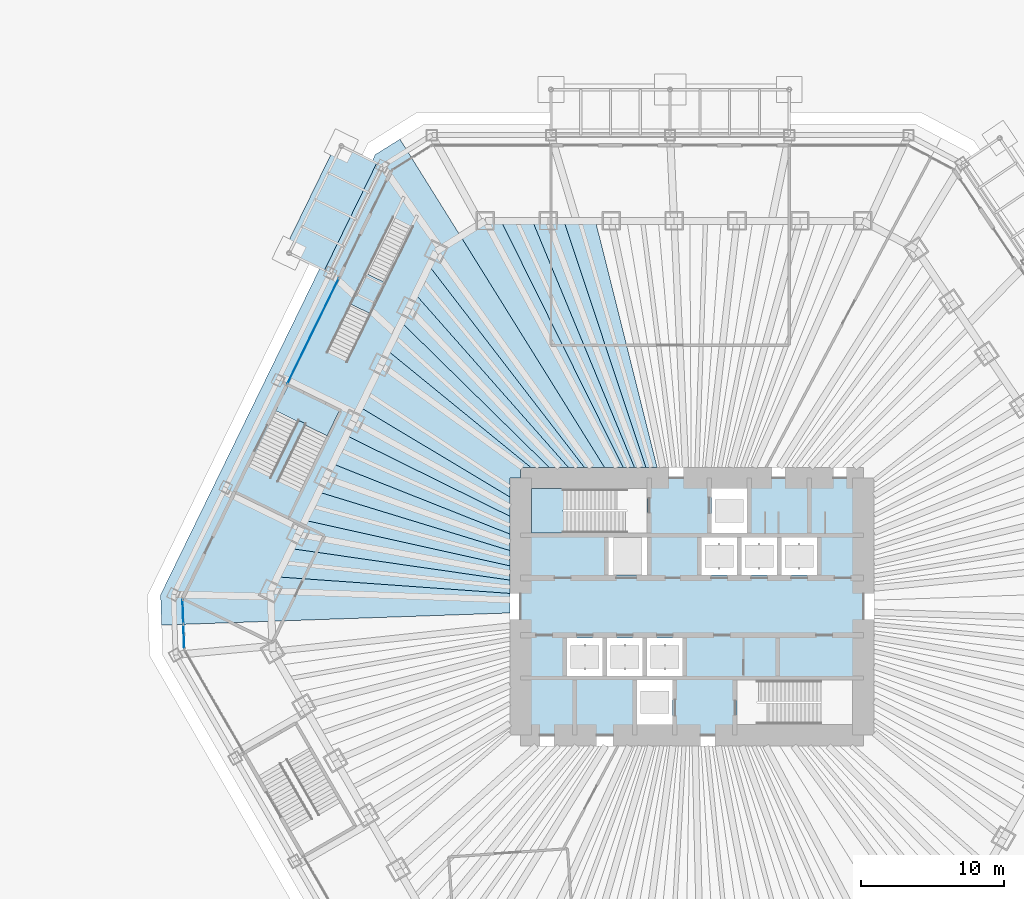
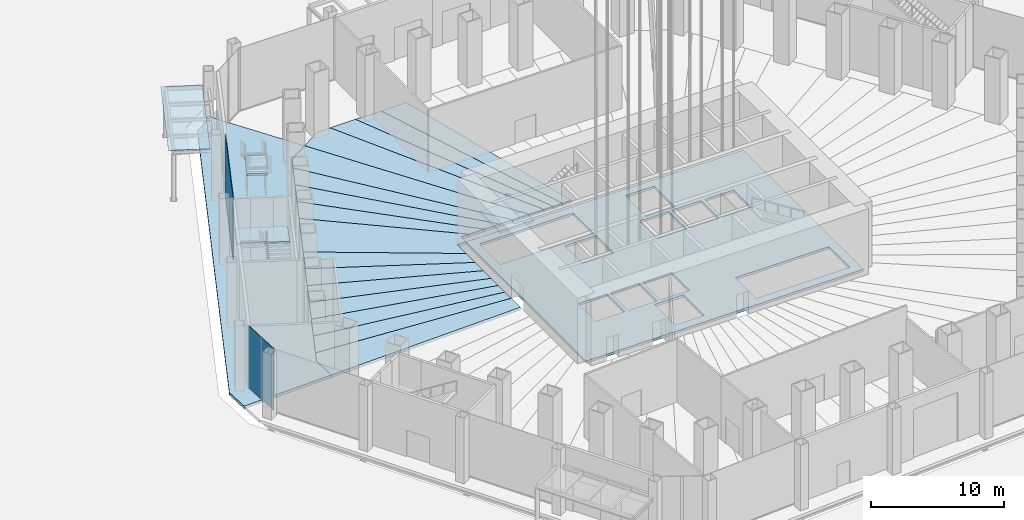
# One storey, part 25 of 45: 22 slabs, 3 plates, 5 elements without a shape of their own.
"""IFC4 building model written with IfcOpenShell, lengths in metres."""

from ifc_helpers import new_model, si_unit, direction, frame, origin, origin_2d, place, context, subcontext, project, spatial, polyline, rectangle, outline, extrude, material, layer, layer_set, constituent, constituent_set, type_object, element, aggregate, save


model = new_model("IFC4")

# Units and contexts
model_context = context("Model", 3, precision=1e-05, world=origin(), true_north=direction((0.0, 1.0)))
body_context = subcontext(model_context, "Body", "Model", "MODEL_VIEW")
ifc_project = project(units=[si_unit("LENGTHUNIT", "METRE"), si_unit("AREAUNIT", "SQUARE_METRE"), si_unit("VOLUMEUNIT", "CUBIC_METRE"), si_unit("PLANEANGLEUNIT", "RADIAN"), si_unit("MASSUNIT", "GRAM", prefix="KILO")], contexts=[model_context])

# Site, building, storey
site_placement = place(None, origin())
site = spatial("IfcSite", under=ifc_project, at=site_placement, CompositionType="ELEMENT")
building_placement = place(site_placement, origin())
building = spatial("IfcBuilding", under=site, at=building_placement, Name="Qingtian Harvest Tower", CompositionType="ELEMENT")
storey_placement = place(building_placement, origin())
storey = spatial("IfcBuildingStorey", under=building, at=storey_placement, Name="L00", CompositionType="ELEMENT", Elevation=0.0)

# Slabs
ifc_material_1 = material(Name="Concrete fc' 35 MPa", Category="concrete")
ifc_layer_1 = layer(ifc_material_1, 0.25)
ifc_layer_set_1 = layer_set([ifc_layer_1], Name="Composite floor slab FS25 250")
slab_type_1 = type_object("IfcSlabType", Name="Composite floor slab FS25 250", PredefinedType="FLOOR", material=ifc_layer_set_1)
slab_1_placement = place(storey_placement, frame((0.0, 0.0, -0.25)))
element("IfcSlab", 1, at=slab_1_placement, inside=storey, type_object=slab_type_1, Name="Floor slab L00 panel DPNW", PredefinedType="FLOOR", context=body_context, shape_type="SweptSolid", body=[
    extrude(outline(polyline([(-20.446533203125, 32.721435546875), (-16.197509765625, 25.92138671875), (-17.923583984375, 24.8427734375), (-29.5087890625, 1.08984375), (-29.434814453125, -1.02783203125), (-37.131591796875, -1.296630859375), (-37.20556640625, 0.821044921875), (-22.172607421875, 31.642822265625), (-20.446533203125, 32.721435546875)])), origin(), (0.0, 0.0, 1.0), 0.25),
])
slab_2_placement = place(storey_placement, frame((0.0, 0.0, -0.25)))
element("IfcSlab", 2, at=slab_2_placement, inside=storey, type_object=slab_type_1, Name="Floor slab L00 panel D62", PredefinedType="FLOOR", context=body_context, shape_type="SweptSolid", body=[
    extrude(outline(polyline([(-3.237548828125, 9.75), (-8.9658203125, 27.0), (-6.763427734375, 27.0), (-2.4423828125, 9.75), (-3.237548828125, 9.75)])), origin(), (0.0, 0.0, 1.0), 0.25),
])
slab_3_placement = place(storey_placement, frame((0.0, 0.0, -0.25)))
element("IfcSlab", 3, at=slab_3_placement, inside=storey, type_object=slab_type_1, Name="Floor slab L00 panel D63", PredefinedType="FLOOR", context=body_context, shape_type="SweptSolid", body=[
    extrude(outline(polyline([(-4.032958984375, 9.75), (-11.16796875, 27.0), (-8.9658203125, 27.0), (-3.237548828125, 9.75), (-4.032958984375, 9.75)])), origin(), (0.0, 0.0, 1.0), 0.25),
])
slab_4_placement = place(storey_placement, frame((0.0, 0.0, -0.25)))
element("IfcSlab", 4, at=slab_4_placement, inside=storey, type_object=slab_type_1, Name="Floor slab L00 panel D64", PredefinedType="FLOOR", context=body_context, shape_type="SweptSolid", body=[
    extrude(outline(polyline([(-4.828125, 9.75), (-13.370361328125, 27.0), (-11.16796875, 27.0), (-4.032958984375, 9.75), (-4.828125, 9.75)])), origin(), (0.0, 0.0, 1.0), 0.25),
])
slab_5_placement = place(storey_placement, frame((0.0, 0.0, -0.25)))
element("IfcSlab", 5, at=slab_5_placement, inside=storey, type_object=slab_type_1, Name="Floor slab L00 panel D65", PredefinedType="FLOOR", context=body_context, shape_type="SweptSolid", body=[
    extrude(outline(polyline([(-4.828125, 9.75), (-6.130126953125, 9.75), (-16.197509765625, 25.92138671875), (-14.471435546875, 27.0), (-13.370361328125, 27.0), (-4.828125, 9.75)])), origin(), (0.0, 0.0, 1.0), 0.25),
])
slab_6_placement = place(storey_placement, frame((0.0, 0.0, -0.25)))
element("IfcSlab", 6, at=slab_6_placement, inside=storey, type_object=slab_type_1, Name="Floor slab L00 panel D66", PredefinedType="FLOOR", context=body_context, shape_type="SweptSolid", body=[
    extrude(outline(polyline([(-6.130126953125, 9.75), (-7.544677734375, 9.75), (-18.40625, 23.853271484375), (-17.923583984375, 24.8427734375), (-16.197509765625, 25.92138671875), (-6.130126953125, 9.75)])), origin(), (0.0, 0.0, 1.0), 0.25),
])
slab_7_placement = place(storey_placement, frame((0.0, 0.0, -0.25)))
element("IfcSlab", 7, at=slab_7_placement, inside=storey, type_object=slab_type_1, Name="Floor slab L00 panel D67", PredefinedType="FLOOR", context=body_context, shape_type="SweptSolid", body=[
    extrude(outline(polyline([(-8.662109375, 9.75), (-19.37158203125, 21.873779296875), (-18.40625, 23.853271484375), (-7.544677734375, 9.75), (-8.662109375, 9.75)])), origin(), (0.0, 0.0, 1.0), 0.25),
])
slab_8_placement = place(storey_placement, frame((0.0, 0.0, -0.25)))
element("IfcSlab", 8, at=slab_8_placement, inside=storey, type_object=slab_type_1, Name="Floor slab L00 panel D68", PredefinedType="FLOOR", context=body_context, shape_type="SweptSolid", body=[
    extrude(outline(polyline([(-10.00341796875, 9.75), (-20.337158203125, 19.894287109375), (-19.37158203125, 21.873779296875), (-8.662109375, 9.75), (-10.00341796875, 9.75)])), origin(), (0.0, 0.0, 1.0), 0.25),
])
slab_9_placement = place(storey_placement, frame((0.0, 0.0, -0.25)))
element("IfcSlab", 9, at=slab_9_placement, inside=storey, type_object=slab_type_1, Name="Floor slab L00 panel D69", PredefinedType="FLOOR", context=body_context, shape_type="SweptSolid", body=[
    extrude(outline(polyline([(-11.2939453125, 9.75), (-21.302490234375, 17.9150390625), (-20.337158203125, 19.894287109375), (-10.00341796875, 9.75), (-11.2939453125, 9.75)])), origin(), (0.0, 0.0, 1.0), 0.25),
])
slab_10_placement = place(storey_placement, frame((0.0, 0.0, -0.25)))
element("IfcSlab", 10, at=slab_10_placement, inside=storey, type_object=slab_type_1, Name="Floor slab L00 panel D70", PredefinedType="FLOOR", context=body_context, shape_type="SweptSolid", body=[
    extrude(outline(polyline([(-12.0, 9.0), (-12.75, 9.0), (-12.75, 7.67333984375), (-23.2333984375, 13.9560546875), (-21.302490234375, 17.9150390625), (-11.2939453125, 9.75), (-12.0, 9.75), (-12.0, 9.0)])), origin(), (0.0, 0.0, 1.0), 0.25),
])
slab_11_placement = place(storey_placement, frame((0.0, 0.0, -0.25)))
element("IfcSlab", 11, at=slab_11_placement, inside=storey, type_object=slab_type_1, Name="Floor slab L00 panel D72", PredefinedType="FLOOR", context=body_context, shape_type="SweptSolid", body=[
    extrude(outline(polyline([(-12.75, 6.3232421875), (-24.19873046875, 11.976806640625), (-23.2333984375, 13.9560546875), (-12.75, 7.67333984375), (-12.75, 6.3232421875)])), origin(), (0.0, 0.0, 1.0), 0.25),
])
slab_12_placement = place(storey_placement, frame((0.0, 0.0, -0.25)))
element("IfcSlab", 12, at=slab_12_placement, inside=storey, type_object=slab_type_1, Name="Floor slab L00 panel D73", PredefinedType="FLOOR", context=body_context, shape_type="SweptSolid", body=[
    extrude(outline(polyline([(-12.75, 5.076904296875), (-25.164306640625, 9.997314453125), (-24.19873046875, 11.976806640625), (-12.75, 6.3232421875), (-12.75, 5.076904296875)])), origin(), (0.0, 0.0, 1.0), 0.25),
])
slab_13_placement = place(storey_placement, frame((0.0, 0.0, -0.25)))
element("IfcSlab", 13, at=slab_13_placement, inside=storey, type_object=slab_type_1, Name="Floor slab L00 panel D74", PredefinedType="FLOOR", context=body_context, shape_type="SweptSolid", body=[
    extrude(outline(polyline([(-12.75, 3.922607421875), (-26.129638671875, 8.017822265625), (-25.164306640625, 9.997314453125), (-12.75, 5.076904296875), (-12.75, 3.922607421875)])), origin(), (0.0, 0.0, 1.0), 0.25),
])
slab_14_placement = place(storey_placement, frame((0.0, 0.0, -0.25)))
element("IfcSlab", 14, at=slab_14_placement, inside=storey, type_object=slab_type_1, Name="Floor slab L00 panel D75", PredefinedType="FLOOR", context=body_context, shape_type="SweptSolid", body=[
    extrude(outline(polyline([(-12.75, 2.8505859375), (-27.09521484375, 6.038330078125), (-26.129638671875, 8.017822265625), (-12.75, 3.922607421875), (-12.75, 2.8505859375)])), origin(), (0.0, 0.0, 1.0), 0.25),
])
slab_15_placement = place(storey_placement, frame((0.0, 0.0, -0.25)))
element("IfcSlab", 15, at=slab_15_placement, inside=storey, type_object=slab_type_1, Name="Floor slab L00 panel D76", PredefinedType="FLOOR", context=body_context, shape_type="SweptSolid", body=[
    extrude(outline(polyline([(-12.75, 1.8525390625), (-28.060546875, 4.05908203125), (-27.09521484375, 6.038330078125), (-12.75, 2.8505859375), (-12.75, 1.8525390625)])), origin(), (0.0, 0.0, 1.0), 0.25),
])
slab_16_placement = place(storey_placement, frame((0.0, 0.0, -0.25)))
element("IfcSlab", 16, at=slab_16_placement, inside=storey, type_object=slab_type_1, Name="Floor slab L00 panel D77", PredefinedType="FLOOR", context=body_context, shape_type="SweptSolid", body=[
    extrude(outline(polyline([(-12.75, 0.9208984375), (-29.02587890625, 2.07958984375), (-28.060546875, 4.05908203125), (-12.75, 1.8525390625), (-12.75, 0.9208984375)])), origin(), (0.0, 0.0, 1.0), 0.25),
])
slab_17_placement = place(storey_placement, frame((0.0, 0.0, -0.25)))
element("IfcSlab", 17, at=slab_17_placement, inside=storey, type_object=slab_type_1, Name="Floor slab L00 panel D78", PredefinedType="FLOOR", context=body_context, shape_type="SweptSolid", body=[
    extrude(outline(polyline([(-12.75, 0.9208984375), (-12.75, -0.447509765625), (-29.434814453125, -1.02783203125), (-29.5087890625, 1.08984375), (-29.02587890625, 2.07958984375), (-12.75, 0.9208984375)])), origin(), (0.0, 0.0, 1.0), 0.25),
])
ifc_material_2 = material(Name="Concrete fc' 35 MPa", Category="concrete")
ifc_layer_2 = layer(ifc_material_2, 0.219970703125)
ifc_layer_set_2 = layer_set([ifc_layer_2], Name="Core floor slab CS22 220")
slab_type_2 = type_object("IfcSlabType", Name="Core floor slab CS22 220", PredefinedType="FLOOR", material=ifc_layer_set_2)
slab_18_placement = place(storey_placement, frame((0.0, 0.0, -0.219970703125)))
element("IfcSlab", 18, at=slab_18_placement, inside=storey, type_object=slab_type_2, Name="Core floor slab L00", PredefinedType="FLOOR", context=body_context, shape_type="SweptSolid", body=[
    extrude(outline(polyline([(-12.0, -9.0), (12.0, -9.0), (12.0, 9.0), (-12.0, 9.0), (-12.0, -9.0)]), holes=[polyline([(-11.25, 5.14990234375), (-3.14990234375, 5.14990234375), (-3.14990234375, 8.25), (-11.25, 8.25), (-11.25, 5.14990234375)]), polyline([(3.14990234375, -8.25), (11.25, -8.25), (11.25, -5.14990234375), (3.14990234375, -5.14990234375), (3.14990234375, -8.25)]), polyline([(1.35009765625, 5.14990234375), (3.85009765625, 5.14990234375), (3.85009765625, 8.25), (1.35009765625, 8.25), (1.35009765625, 5.14990234375)]), polyline([(-3.85009765625, -8.25), (-1.35009765625, -8.25), (-1.35009765625, -5.14990234375), (-3.85009765625, -5.14990234375), (-3.85009765625, -8.25)]), polyline([(-5.85009765625, 2.199951171875), (-3.14990234375, 2.199951171875), (-3.14990234375, 4.85009765625), (-5.85009765625, 4.85009765625), (-5.85009765625, 2.199951171875)]), polyline([(0.64990234375, 2.199951171875), (3.14990234375, 2.199951171875), (3.14990234375, 4.85009765625), (0.64990234375, 4.85009765625), (0.64990234375, 2.199951171875)]), polyline([(3.449951171875, 2.199951171875), (5.949951171875, 2.199951171875), (5.949951171875, 4.85009765625), (3.449951171875, 4.85009765625), (3.449951171875, 2.199951171875)]), polyline([(6.25, 2.199951171875), (8.75, 2.199951171875), (8.75, 4.85009765625), (6.25, 4.85009765625), (6.25, 2.199951171875)]), polyline([(-8.75, -4.85009765625), (-6.25, -4.85009765625), (-6.25, -2.199951171875), (-8.75, -2.199951171875), (-8.75, -4.85009765625)]), polyline([(-5.949951171875, -4.85009765625), (-3.449951171875, -4.85009765625), (-3.449951171875, -2.199951171875), (-5.949951171875, -2.199951171875), (-5.949951171875, -4.85009765625)]), polyline([(-3.14990234375, -4.85009765625), (-0.64990234375, -4.85009765625), (-0.64990234375, -2.199951171875), (-3.14990234375, -2.199951171875), (-3.14990234375, -4.85009765625)])]), origin(), (0.0, 0.0, 1.0), 0.219970703125),
])
ifc_material_3 = material(Name="Laminated heat-strengthened glass", Category="glass")
ifc_layer_3 = layer(ifc_material_3, 0.0400390625)
ifc_layer_set_3 = layer_set([ifc_layer_3], Name="Entrance canopy CN1 glass")
slab_type_3 = type_object("IfcSlabType", Name="Entrance canopy CN1 glass", PredefinedType="ROOF", material=ifc_layer_set_3)
slab_19_placement = place(storey_placement, frame((0.0, 0.0, 4.4599609375)))
element("IfcSlab", 19, at=slab_19_placement, inside=storey, type_object=slab_type_3, Name="Entrance canopy CN1 CN5 3", PredefinedType="ROOF", context=body_context, shape_type="SweptSolid", body=[
    extrude(outline(polyline([(-25.734130859375, 23.542724609375), (-22.0771484375, 31.040283203125), (-24.908447265625, 32.421142578125), (-28.565185546875, 24.923583984375), (-25.734130859375, 23.542724609375)])), origin(), (0.0, 0.0, 1.0), 0.0400390625),
])

# Stair, slab
ifc_material_4 = material(Name="Steel SN490B (325 MPa)", Category="steel")
ifc_constituent_1 = constituent(ifc_material_4, Name="Stringers")
ifc_material_5 = material(Name="Terrazzo treads")
ifc_constituent_2 = constituent(ifc_material_5, Name="Treads")
ifc_constituent_set = constituent_set(constituents=[ifc_constituent_1, ifc_constituent_2], Name="Steel SN490B (325 MPa)")
stair_type_1 = type_object("IfcStairType", Name="Feature stair FS6000 straight run", PredefinedType="STRAIGHT_RUN_STAIR", material=ifc_constituent_set)
stair_1_placement = place(storey_placement, origin())
stair_1 = element("IfcStair", 20, at=stair_1_placement, inside=storey, type_object=stair_type_1, Name="Feature stair FS2 L00 to L01", PredefinedType="STRAIGHT_RUN_STAIR")
ifc_material_6 = material(Name="Steel deck with terrazzo", Category="steel")
ifc_layer_4 = layer(ifc_material_6, 0.199951171875)
ifc_layer_set_4 = layer_set([ifc_layer_4], Name="Feature stair landing SL3 200")
slab_type_4 = type_object("IfcSlabType", Name="Feature stair landing SL3 200", PredefinedType="LANDING", material=ifc_layer_set_4)
slab_20_placement = place(storey_placement, frame((0.0, 0.0, 2.800048828125)))
slab_20 = element("IfcSlab", 21, at=slab_20_placement, type_object=slab_type_4, Name="FS2 landing 1", PredefinedType="LANDING", context=body_context, shape_type="SweptSolid", body=[
    extrude(outline(polyline([(-22.492919921875, 20.4921875), (-23.930908203125, 21.193603515625), (-22.87451171875, 23.359619140625), (-21.4365234375, 22.658203125), (-22.492919921875, 20.4921875)])), origin(), (0.0, 0.0, 1.0), 0.199951171875),
])
aggregate(stair_1, [slab_20])

# Curtain wall, plates
ifc_material_7 = material(Name="Bronze-anodised aluminium curtain wall", Category="aluminium")
curtain_wall_type = type_object("IfcCurtainWallType", Name="Curtain wall CW1 podium shopfront", PredefinedType="USERDEFINED", material=ifc_material_7)
curtain_wall_1_placement = place(storey_placement, origin())
curtain_wall_1 = element("IfcCurtainWall", 22, at=curtain_wall_1_placement, inside=storey, type_object=curtain_wall_type, Name="Curtain wall CW1 L00 SWC", ObjectType="RECESSED CURTAIN WALL", PredefinedType="USERDEFINED")
ifc_material_8 = material(Name="Bronze-tinted laminated insulating glass", Category="glass")
ifc_layer_5 = layer(ifc_material_8, 0.030029296875)
ifc_layer_set_5 = layer_set([ifc_layer_5], Name="Glazed panel CWP tinted IGU")
plate_type = type_object("IfcPlateType", Name="Glazed panel CWP tinted IGU", PredefinedType="CURTAIN_PANEL", material=ifc_layer_set_5)
plate_1_placement = place(storey_placement, frame((-35.57763671875, -2.121826171875, 0.06494140625), z_axis=(0.0, 0.0, 1.0), x_axis=(-0.034899496703, 0.999390827019, 0.0)))
plate_1 = element("IfcPlate", 23, at=plate_1_placement, type_object=plate_type, Name="CW1 panel 1.1", PredefinedType="CURTAIN_PANEL", context=body_context, shape_type="SweptSolid", body=[
    extrude(rectangle(XDim=1.69287109375, YDim=0.030029296875, at=origin_2d()), origin(), (0.0, 0.0, 1.0), 5.68505859375),
])
plate_2_placement = place(storey_placement, frame((-35.638916015625, -0.364990234375, 0.06494140625), z_axis=(0.0, 0.0, 1.0), x_axis=(-0.034899496703, 0.999390827019, 0.0)))
plate_2 = element("IfcPlate", 24, at=plate_2_placement, type_object=plate_type, Name="CW1 panel 2.1", PredefinedType="CURTAIN_PANEL", context=body_context, shape_type="SweptSolid", body=[
    extrude(rectangle(XDim=1.69287109375, YDim=0.030029296875, at=origin_2d()), origin(), (0.0, 0.0, 1.0), 5.68505859375),
])
aggregate(curtain_wall_1, [plate_1, plate_2])

# Curtain wall, plate
curtain_wall_2_placement = place(storey_placement, origin())
curtain_wall_2 = element("IfcCurtainWall", 25, at=curtain_wall_2_placement, inside=storey, type_object=curtain_wall_type, Name="Curtain wall CW1 L00 NW2", ObjectType="RECESSED CURTAIN WALL", PredefinedType="USERDEFINED")
plate_3_placement = place(storey_placement, frame((-26.52880859375, 19.289794921875, 0.06494140625), z_axis=(0.0, 0.0, 1.0), x_axis=(0.438371146789, 0.898794046299, 0.0)))
plate_3 = element("IfcPlate", 26, at=plate_3_placement, type_object=plate_type, Name="CW1 panel 1.1", PredefinedType="CURTAIN_PANEL", context=body_context, shape_type="SweptSolid", body=[
    extrude(rectangle(XDim=8.211669921875, YDim=0.030029296875, at=origin_2d()), origin(), (0.0, 0.0, 1.0), 5.68505859375),
])
aggregate(curtain_wall_2, [plate_3])

# Stair, slab
ifc_material_9 = material(Name="Concrete fc' 35 MPa", Category="concrete")
stair_type_2 = type_object("IfcStairType", Name="Exit stair PS1 6000", PredefinedType="HALF_TURN_STAIR", material=ifc_material_9)
stair_2_placement = place(storey_placement, origin())
stair_2 = element("IfcStair", 27, at=stair_2_placement, inside=storey, type_object=stair_type_2, Name="Exit stair P4 L00", PredefinedType="HALF_TURN_STAIR")
ifc_material_10 = material(Name="Concrete fc' 35 MPa", Category="concrete")
ifc_layer_6 = layer(ifc_material_10, 0.199951171875)
ifc_layer_set_6 = layer_set([ifc_layer_6], Name="Stair landing SL2 200")
slab_type_5 = type_object("IfcSlabType", Name="Stair landing SL2 200", PredefinedType="LANDING", material=ifc_layer_set_6)
slab_21_placement = place(storey_placement, frame((0.0, 0.0, 2.800048828125)))
slab_21 = element("IfcSlab", 28, at=slab_21_placement, type_object=slab_type_5, Name="P4 landing 1", PredefinedType="LANDING", context=body_context, shape_type="SweptSolid", body=[
    extrude(outline(polyline([(-24.672119140625, 13.74365234375), (-25.54541015625, 11.953369140625), (-27.1630859375, 12.742431640625), (-27.119384765625, 12.832275390625), (-27.478759765625, 13.0078125), (-27.522705078125, 12.91796875), (-29.140380859375, 13.70703125), (-28.267333984375, 15.4970703125), (-24.672119140625, 13.74365234375)])), origin(), (0.0, 0.0, 1.0), 0.199951171875),
])
aggregate(stair_2, [slab_21])

ifc_material_11 = material(Name="Concrete fc' 35 MPa", Category="concrete")
stair_type_3 = type_object("IfcStairType", Name="Special stair ST1 6000", PredefinedType="HALF_TURN_STAIR", material=ifc_material_11)
stair_3_placement = place(storey_placement, origin())
stair_3 = element("IfcStair", 29, at=stair_3_placement, inside=storey, type_object=stair_type_3, Name="Special stair S1 L00", PredefinedType="HALF_TURN_STAIR")
slab_22_placement = place(storey_placement, frame((0.0, 0.0, 2.800048828125)))
slab_22 = element("IfcSlab", 30, at=slab_22_placement, type_object=slab_type_5, Name="S1 landing 2", PredefinedType="LANDING", context=body_context, shape_type="SweptSolid", body=[
    extrude(outline(polyline([(-8.320068359375, 5.14990234375), (-11.25, 5.14990234375), (-11.25, 8.25), (-8.929931640625, 8.25), (-8.929931640625, 6.75), (-9.030029296875, 6.75), (-9.030029296875, 6.64990234375), (-8.320068359375, 6.64990234375), (-8.320068359375, 5.14990234375)])), origin(), (0.0, 0.0, 1.0), 0.199951171875),
])
aggregate(stair_3, [slab_22])

save(model, "model.ifc")
